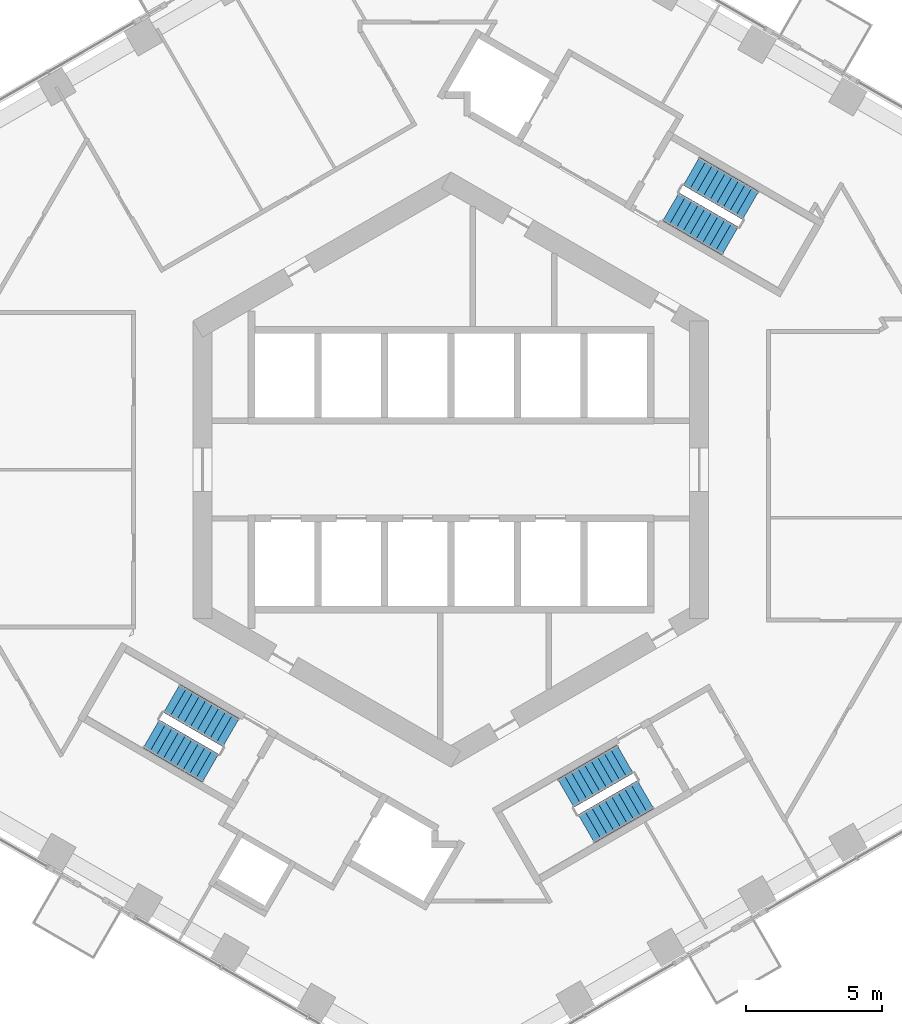
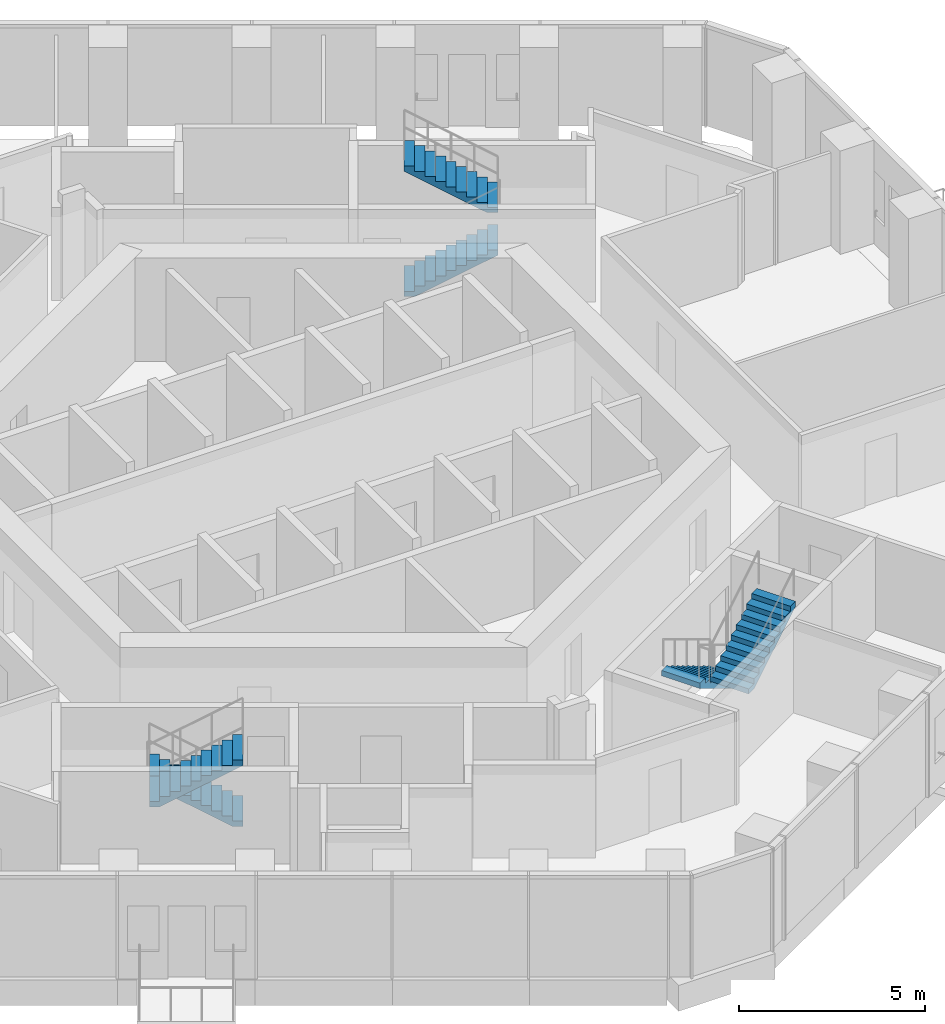
# One storey, part 17 of 20: 6 stair flights, 3 elements without a shape of their own.
"""IFC4 building model written with IfcOpenShell, lengths in metres."""

from ifc_helpers import new_model, si_unit, direction, frame, origin, place, context, subcontext, project, spatial, triangles, material, type_object, element, aggregate, save


model = new_model("IFC4")

# Units and contexts
model_context = context("Model", 3, precision=1e-05, world=origin(), true_north=direction((0.0, 1.0)))
body_context = subcontext(model_context, "Body", "Model", "MODEL_VIEW")
ifc_project = project(units=[si_unit("LENGTHUNIT", "METRE"), si_unit("AREAUNIT", "SQUARE_METRE"), si_unit("VOLUMEUNIT", "CUBIC_METRE"), si_unit("PLANEANGLEUNIT", "RADIAN"), si_unit("MASSUNIT", "GRAM", prefix="KILO")], contexts=[model_context])

# Site, building, storey
site_placement = place(None, origin())
site = spatial("IfcSite", under=ifc_project, at=site_placement, CompositionType="ELEMENT")
building_placement = place(site_placement, origin())
building = spatial("IfcBuilding", under=site, at=building_placement, Name="Ayvan Gate Tower", CompositionType="ELEMENT")
storey_placement = place(building_placement, frame((0.0, 0.0, 96.699951171875)))
storey = spatial("IfcBuildingStorey", under=building, at=storey_placement, Name="L25", CompositionType="ELEMENT", Elevation=96.699951171875)

# Stair, stair flights
ifc_material = material(Name="Concrete C40/50", Category="concrete")
stair_type = type_object("IfcStairType", Name="ST-EXIT", PredefinedType="HALF_TURN_STAIR", material=ifc_material)
stair_1_placement = place(storey_placement, origin())
stair_1 = element("IfcStair", 1, at=stair_1_placement, inside=storey, type_object=stair_type, Name="L25 Exit Stair S1", PredefinedType="HALF_TURN_STAIR")
stair_flight_type = type_object("IfcStairFlightType", Name="SFL-EXIT", PredefinedType="STRAIGHT", material=ifc_material)
stair_flight_1_placement = place(storey_placement, frame((8.106201171875, 9.690185546875, 0.0), z_axis=(0.0, 0.0, 1.0), x_axis=(0.866025403784, -0.5, 0.0)))
stair_flight_1 = element("IfcStairFlight", 2, at=stair_flight_1_placement, type_object=stair_flight_type, Name="STS1 flight 1", NumberOfRisers=10, NumberOfTreads=9, PredefinedType="STRAIGHT", RiserHeight=0.17, TreadLength=0.28, context=body_context, shape_type="Tessellation", body=[
    triangles([(0.288841, -0.599976, 0.0), (2.5205, -0.599976, 1.354936), (2.5205, -0.599976, 1.53), (2.24, -0.599976, 1.53), (2.24, -0.599976, 1.36), (1.96, -0.599976, 1.36), (1.96, -0.599976, 1.19), (1.68, -0.599976, 1.19), (1.68, -0.599976, 1.02), (1.4, -0.599976, 1.02), (1.4, -0.599976, 0.85), (1.12, -0.599976, 0.85), (1.12, -0.599976, 0.68), (0.84, -0.599976, 0.68), (0.84, -0.599976, 0.51), (0.56, -0.599976, 0.51), (0.56, -0.599976, 0.34), (0.28, -0.599976, 0.34), (0.28, -0.599976, 0.17), (-0.0005, -0.599976, 0.17), (-0.0005, -0.599976, 0.0), (0.288841, 0.0, 0.0), (2.5205, 0.0, 1.354936), (2.5205, 0.0, 1.53), (2.24, 0.0, 1.53), (2.24, 0.0, 1.36), (1.96, 0.0, 1.36), (1.96, 0.0, 1.19), (1.68, 0.0, 1.19), (1.68, 0.0, 1.02), (1.4, 0.0, 1.02), (1.4, 0.0, 0.85), (1.12, 0.0, 0.85), (1.12, 0.0, 0.68), (0.84, 0.0, 0.68), (0.84, 0.0, 0.51), (0.56, 0.0, 0.51), (0.56, 0.0, 0.34), (0.28, 0.0, 0.34), (0.28, 0.0, 0.17), (-0.0005, 0.0, 0.17), (-0.0005, 0.0, 0.0), (0.288841, 0.599976, 0.0), (2.5205, 0.599976, 1.354936), (2.5205, 0.599976, 1.53), (2.24, 0.599976, 1.53), (2.24, 0.599976, 1.36), (1.96, 0.599976, 1.36), (1.96, 0.599976, 1.19), (1.68, 0.599976, 1.19), (1.68, 0.599976, 1.02), (1.4, 0.599976, 1.02), (1.4, 0.599976, 0.85), (1.12, 0.599976, 0.85), (1.12, 0.599976, 0.68), (0.84, 0.599976, 0.68), (0.84, 0.599976, 0.51), (0.56, 0.599976, 0.51), (0.56, 0.599976, 0.34), (0.28, 0.599976, 0.34), (0.28, 0.599976, 0.17), (-0.0005, 0.599976, 0.17), (-0.0005, 0.599976, 0.0)], [[21, 1, 2], [63, 44, 43], [2, 3, 4], [44, 46, 45], [2, 4, 5], [44, 47, 46], [2, 5, 6], [44, 48, 47], [2, 6, 7], [44, 49, 48], [7, 8, 9], [49, 51, 50], [2, 7, 9], [44, 51, 49], [9, 10, 11], [51, 53, 52], [2, 9, 11], [44, 53, 51], [11, 12, 13], [53, 55, 54], [2, 11, 13], [44, 55, 53], [13, 14, 15], [55, 57, 56], [2, 13, 15], [44, 57, 55], [15, 16, 17], [57, 59, 58], [2, 15, 17], [44, 59, 57], [17, 18, 19], [59, 61, 60], [2, 17, 19], [44, 61, 59], [21, 2, 19], [63, 61, 44], [19, 20, 21], [61, 63, 62], [1, 22, 23], [1, 23, 2], [43, 23, 22], [43, 44, 23], [2, 23, 24], [2, 24, 3], [44, 24, 23], [44, 45, 24], [3, 24, 25], [3, 25, 4], [45, 25, 24], [45, 46, 25], [4, 25, 26], [4, 26, 5], [46, 26, 25], [46, 47, 26], [5, 26, 27], [5, 27, 6], [47, 27, 26], [47, 48, 27], [6, 27, 28], [6, 28, 7], [48, 28, 27], [48, 49, 28], [7, 28, 29], [7, 29, 8], [49, 29, 28], [49, 50, 29], [8, 29, 30], [8, 30, 9], [50, 30, 29], [50, 51, 30], [9, 30, 31], [9, 31, 10], [51, 31, 30], [51, 52, 31], [10, 31, 32], [10, 32, 11], [52, 32, 31], [52, 53, 32], [11, 32, 33], [11, 33, 12], [53, 33, 32], [53, 54, 33], [12, 33, 34], [12, 34, 13], [54, 34, 33], [54, 55, 34], [13, 34, 35], [13, 35, 14], [55, 35, 34], [55, 56, 35], [14, 35, 36], [14, 36, 15], [56, 36, 35], [56, 57, 36], [15, 36, 37], [15, 37, 16], [57, 37, 36], [57, 58, 37], [16, 37, 38], [16, 38, 17], [58, 38, 37], [58, 59, 38], [17, 38, 39], [17, 39, 18], [59, 39, 38], [59, 60, 39], [18, 39, 40], [18, 40, 19], [60, 40, 39], [60, 61, 40], [19, 40, 41], [19, 41, 20], [61, 41, 40], [61, 62, 41], [20, 41, 42], [20, 42, 21], [62, 42, 41], [62, 63, 42], [21, 42, 22], [21, 22, 1], [63, 22, 42], [63, 43, 22]], closed=True),
])
stair_flight_2_placement = place(storey_placement, frame((11.04345703125, 9.73779296875, 1.699951171875), z_axis=(0.0, 0.0, 1.0), x_axis=(-0.866025403784, 0.5, 0.0)))
stair_flight_2 = element("IfcStairFlight", 3, at=stair_flight_2_placement, type_object=stair_flight_type, Name="STS1 flight 2", NumberOfRisers=10, NumberOfTreads=9, PredefinedType="STRAIGHT", RiserHeight=0.17, TreadLength=0.28, context=body_context, shape_type="Tessellation", body=[
    triangles([(0.288841, -0.599976, 0.0), (2.5205, -0.599976, 1.354936), (2.5205, -0.599976, 1.53), (2.24, -0.599976, 1.53), (2.24, -0.599976, 1.36), (1.96, -0.599976, 1.36), (1.96, -0.599976, 1.19), (1.68, -0.599976, 1.19), (1.68, -0.599976, 1.02), (1.4, -0.599976, 1.02), (1.4, -0.599976, 0.85), (1.12, -0.599976, 0.85), (1.12, -0.599976, 0.68), (0.84, -0.599976, 0.68), (0.84, -0.599976, 0.51), (0.56, -0.599976, 0.51), (0.56, -0.599976, 0.34), (0.28, -0.599976, 0.34), (0.28, -0.599976, 0.17), (-0.0005, -0.599976, 0.17), (-0.0005, -0.599976, 0.0), (0.288841, 0.0, 0.0), (2.5205, 0.0, 1.354936), (2.5205, 0.0, 1.53), (2.24, 0.0, 1.53), (2.24, 0.0, 1.36), (1.96, 0.0, 1.36), (1.96, 0.0, 1.19), (1.68, 0.0, 1.19), (1.68, 0.0, 1.02), (1.4, 0.0, 1.02), (1.4, 0.0, 0.85), (1.12, 0.0, 0.85), (1.12, 0.0, 0.68), (0.84, 0.0, 0.68), (0.84, 0.0, 0.51), (0.56, 0.0, 0.51), (0.56, 0.0, 0.34), (0.28, 0.0, 0.34), (0.28, 0.0, 0.17), (-0.0005, 0.0, 0.17), (-0.0005, 0.0, 0.0), (0.288841, 0.599976, 0.0), (2.5205, 0.599976, 1.354936), (2.5205, 0.599976, 1.53), (2.24, 0.599976, 1.53), (2.24, 0.599976, 1.36), (1.96, 0.599976, 1.36), (1.96, 0.599976, 1.19), (1.68, 0.599976, 1.19), (1.68, 0.599976, 1.02), (1.4, 0.599976, 1.02), (1.4, 0.599976, 0.85), (1.12, 0.599976, 0.85), (1.12, 0.599976, 0.68), (0.84, 0.599976, 0.68), (0.84, 0.599976, 0.51), (0.56, 0.599976, 0.51), (0.56, 0.599976, 0.34), (0.28, 0.599976, 0.34), (0.28, 0.599976, 0.17), (-0.0005, 0.599976, 0.17), (-0.0005, 0.599976, 0.0)], [[21, 1, 2], [63, 44, 43], [2, 3, 4], [44, 46, 45], [2, 4, 5], [44, 47, 46], [2, 5, 6], [44, 48, 47], [2, 6, 7], [44, 49, 48], [7, 8, 9], [49, 51, 50], [2, 7, 9], [44, 51, 49], [9, 10, 11], [51, 53, 52], [2, 9, 11], [44, 53, 51], [11, 12, 13], [53, 55, 54], [2, 11, 13], [44, 55, 53], [13, 14, 15], [55, 57, 56], [2, 13, 15], [44, 57, 55], [15, 16, 17], [57, 59, 58], [2, 15, 17], [44, 59, 57], [17, 18, 19], [59, 61, 60], [2, 17, 19], [44, 61, 59], [21, 2, 19], [63, 61, 44], [19, 20, 21], [61, 63, 62], [1, 22, 23], [1, 23, 2], [43, 23, 22], [43, 44, 23], [2, 23, 24], [2, 24, 3], [44, 24, 23], [44, 45, 24], [3, 24, 25], [3, 25, 4], [45, 25, 24], [45, 46, 25], [4, 25, 26], [4, 26, 5], [46, 26, 25], [46, 47, 26], [5, 26, 27], [5, 27, 6], [47, 27, 26], [47, 48, 27], [6, 27, 28], [6, 28, 7], [48, 28, 27], [48, 49, 28], [7, 28, 29], [7, 29, 8], [49, 29, 28], [49, 50, 29], [8, 29, 30], [8, 30, 9], [50, 30, 29], [50, 51, 30], [9, 30, 31], [9, 31, 10], [51, 31, 30], [51, 52, 31], [10, 31, 32], [10, 32, 11], [52, 32, 31], [52, 53, 32], [11, 32, 33], [11, 33, 12], [53, 33, 32], [53, 54, 33], [12, 33, 34], [12, 34, 13], [54, 34, 33], [54, 55, 34], [13, 34, 35], [13, 35, 14], [55, 35, 34], [55, 56, 35], [14, 35, 36], [14, 36, 15], [56, 36, 35], [56, 57, 36], [15, 36, 37], [15, 37, 16], [57, 37, 36], [57, 58, 37], [16, 37, 38], [16, 38, 17], [58, 38, 37], [58, 59, 38], [17, 38, 39], [17, 39, 18], [59, 39, 38], [59, 60, 39], [18, 39, 40], [18, 40, 19], [60, 40, 39], [60, 61, 40], [19, 40, 41], [19, 41, 20], [61, 41, 40], [61, 62, 41], [20, 41, 42], [20, 42, 21], [62, 42, 41], [62, 63, 42], [21, 42, 22], [21, 22, 1], [63, 22, 42], [63, 43, 22]], closed=True),
])
aggregate(stair_1, [stair_flight_1, stair_flight_2])

stair_2_placement = place(storey_placement, origin())
stair_2 = element("IfcStair", 4, at=stair_2_placement, inside=storey, type_object=stair_type, Name="L25 Exit Stair S2", PredefinedType="HALF_TURN_STAIR")
stair_flight_3_placement = place(storey_placement, frame((-8.106201171875, -9.690185546875, 0.0), z_axis=(0.0, 0.0, 1.0), x_axis=(-0.866025403784, 0.5, 0.0)))
stair_flight_3 = element("IfcStairFlight", 5, at=stair_flight_3_placement, type_object=stair_flight_type, Name="STS2 flight 1", NumberOfRisers=10, NumberOfTreads=9, PredefinedType="STRAIGHT", RiserHeight=0.17, TreadLength=0.28, context=body_context, shape_type="Tessellation", body=[
    triangles([(0.288841, -0.599976, 0.0), (2.5205, -0.599976, 1.354936), (2.5205, -0.599976, 1.53), (2.24, -0.599976, 1.53), (2.24, -0.599976, 1.36), (1.96, -0.599976, 1.36), (1.96, -0.599976, 1.19), (1.68, -0.599976, 1.19), (1.68, -0.599976, 1.02), (1.4, -0.599976, 1.02), (1.4, -0.599976, 0.85), (1.12, -0.599976, 0.85), (1.12, -0.599976, 0.68), (0.84, -0.599976, 0.68), (0.84, -0.599976, 0.51), (0.56, -0.599976, 0.51), (0.56, -0.599976, 0.34), (0.28, -0.599976, 0.34), (0.28, -0.599976, 0.17), (-0.0005, -0.599976, 0.17), (-0.0005, -0.599976, 0.0), (0.288841, 0.0, 0.0), (2.5205, 0.0, 1.354936), (2.5205, 0.0, 1.53), (2.24, 0.0, 1.53), (2.24, 0.0, 1.36), (1.96, 0.0, 1.36), (1.96, 0.0, 1.19), (1.68, 0.0, 1.19), (1.68, 0.0, 1.02), (1.4, 0.0, 1.02), (1.4, 0.0, 0.85), (1.12, 0.0, 0.85), (1.12, 0.0, 0.68), (0.84, 0.0, 0.68), (0.84, 0.0, 0.51), (0.56, 0.0, 0.51), (0.56, 0.0, 0.34), (0.28, 0.0, 0.34), (0.28, 0.0, 0.17), (-0.0005, 0.0, 0.17), (-0.0005, 0.0, 0.0), (0.288841, 0.599976, 0.0), (2.5205, 0.599976, 1.354936), (2.5205, 0.599976, 1.53), (2.24, 0.599976, 1.53), (2.24, 0.599976, 1.36), (1.96, 0.599976, 1.36), (1.96, 0.599976, 1.19), (1.68, 0.599976, 1.19), (1.68, 0.599976, 1.02), (1.4, 0.599976, 1.02), (1.4, 0.599976, 0.85), (1.12, 0.599976, 0.85), (1.12, 0.599976, 0.68), (0.84, 0.599976, 0.68), (0.84, 0.599976, 0.51), (0.56, 0.599976, 0.51), (0.56, 0.599976, 0.34), (0.28, 0.599976, 0.34), (0.28, 0.599976, 0.17), (-0.0005, 0.599976, 0.17), (-0.0005, 0.599976, 0.0)], [[21, 1, 2], [63, 44, 43], [2, 3, 4], [44, 46, 45], [2, 4, 5], [44, 47, 46], [2, 5, 6], [44, 48, 47], [2, 6, 7], [44, 49, 48], [7, 8, 9], [49, 51, 50], [2, 7, 9], [44, 51, 49], [9, 10, 11], [51, 53, 52], [2, 9, 11], [44, 53, 51], [11, 12, 13], [53, 55, 54], [2, 11, 13], [44, 55, 53], [13, 14, 15], [55, 57, 56], [2, 13, 15], [44, 57, 55], [15, 16, 17], [57, 59, 58], [2, 15, 17], [44, 59, 57], [17, 18, 19], [59, 61, 60], [2, 17, 19], [44, 61, 59], [21, 2, 19], [63, 61, 44], [19, 20, 21], [61, 63, 62], [1, 22, 23], [1, 23, 2], [43, 23, 22], [43, 44, 23], [2, 23, 24], [2, 24, 3], [44, 24, 23], [44, 45, 24], [3, 24, 25], [3, 25, 4], [45, 25, 24], [45, 46, 25], [4, 25, 26], [4, 26, 5], [46, 26, 25], [46, 47, 26], [5, 26, 27], [5, 27, 6], [47, 27, 26], [47, 48, 27], [6, 27, 28], [6, 28, 7], [48, 28, 27], [48, 49, 28], [7, 28, 29], [7, 29, 8], [49, 29, 28], [49, 50, 29], [8, 29, 30], [8, 30, 9], [50, 30, 29], [50, 51, 30], [9, 30, 31], [9, 31, 10], [51, 31, 30], [51, 52, 31], [10, 31, 32], [10, 32, 11], [52, 32, 31], [52, 53, 32], [11, 32, 33], [11, 33, 12], [53, 33, 32], [53, 54, 33], [12, 33, 34], [12, 34, 13], [54, 34, 33], [54, 55, 34], [13, 34, 35], [13, 35, 14], [55, 35, 34], [55, 56, 35], [14, 35, 36], [14, 36, 15], [56, 36, 35], [56, 57, 36], [15, 36, 37], [15, 37, 16], [57, 37, 36], [57, 58, 37], [16, 37, 38], [16, 38, 17], [58, 38, 37], [58, 59, 38], [17, 38, 39], [17, 39, 18], [59, 39, 38], [59, 60, 39], [18, 39, 40], [18, 40, 19], [60, 40, 39], [60, 61, 40], [19, 40, 41], [19, 41, 20], [61, 41, 40], [61, 62, 41], [20, 41, 42], [20, 42, 21], [62, 42, 41], [62, 63, 42], [21, 42, 22], [21, 22, 1], [63, 22, 42], [63, 43, 22]], closed=True),
])
stair_flight_4_placement = place(storey_placement, frame((-11.04345703125, -9.73779296875, 1.699951171875), z_axis=(0.0, 0.0, 1.0), x_axis=(0.866025403784, -0.5, 0.0)))
stair_flight_4 = element("IfcStairFlight", 6, at=stair_flight_4_placement, type_object=stair_flight_type, Name="STS2 flight 2", NumberOfRisers=10, NumberOfTreads=9, PredefinedType="STRAIGHT", RiserHeight=0.17, TreadLength=0.28, context=body_context, shape_type="Tessellation", body=[
    triangles([(0.288841, -0.599976, 0.0), (2.5205, -0.599976, 1.354936), (2.5205, -0.599976, 1.53), (2.24, -0.599976, 1.53), (2.24, -0.599976, 1.36), (1.96, -0.599976, 1.36), (1.96, -0.599976, 1.19), (1.68, -0.599976, 1.19), (1.68, -0.599976, 1.02), (1.4, -0.599976, 1.02), (1.4, -0.599976, 0.85), (1.12, -0.599976, 0.85), (1.12, -0.599976, 0.68), (0.84, -0.599976, 0.68), (0.84, -0.599976, 0.51), (0.56, -0.599976, 0.51), (0.56, -0.599976, 0.34), (0.28, -0.599976, 0.34), (0.28, -0.599976, 0.17), (-0.0005, -0.599976, 0.17), (-0.0005, -0.599976, 0.0), (0.288841, 0.0, 0.0), (2.5205, 0.0, 1.354936), (2.5205, 0.0, 1.53), (2.24, 0.0, 1.53), (2.24, 0.0, 1.36), (1.96, 0.0, 1.36), (1.96, 0.0, 1.19), (1.68, 0.0, 1.19), (1.68, 0.0, 1.02), (1.4, 0.0, 1.02), (1.4, 0.0, 0.85), (1.12, 0.0, 0.85), (1.12, 0.0, 0.68), (0.84, 0.0, 0.68), (0.84, 0.0, 0.51), (0.56, 0.0, 0.51), (0.56, 0.0, 0.34), (0.28, 0.0, 0.34), (0.28, 0.0, 0.17), (-0.0005, 0.0, 0.17), (-0.0005, 0.0, 0.0), (0.288841, 0.599976, 0.0), (2.5205, 0.599976, 1.354936), (2.5205, 0.599976, 1.53), (2.24, 0.599976, 1.53), (2.24, 0.599976, 1.36), (1.96, 0.599976, 1.36), (1.96, 0.599976, 1.19), (1.68, 0.599976, 1.19), (1.68, 0.599976, 1.02), (1.4, 0.599976, 1.02), (1.4, 0.599976, 0.85), (1.12, 0.599976, 0.85), (1.12, 0.599976, 0.68), (0.84, 0.599976, 0.68), (0.84, 0.599976, 0.51), (0.56, 0.599976, 0.51), (0.56, 0.599976, 0.34), (0.28, 0.599976, 0.34), (0.28, 0.599976, 0.17), (-0.0005, 0.599976, 0.17), (-0.0005, 0.599976, 0.0)], [[21, 1, 2], [63, 44, 43], [2, 3, 4], [44, 46, 45], [2, 4, 5], [44, 47, 46], [2, 5, 6], [44, 48, 47], [2, 6, 7], [44, 49, 48], [7, 8, 9], [49, 51, 50], [2, 7, 9], [44, 51, 49], [9, 10, 11], [51, 53, 52], [2, 9, 11], [44, 53, 51], [11, 12, 13], [53, 55, 54], [2, 11, 13], [44, 55, 53], [13, 14, 15], [55, 57, 56], [2, 13, 15], [44, 57, 55], [15, 16, 17], [57, 59, 58], [2, 15, 17], [44, 59, 57], [17, 18, 19], [59, 61, 60], [2, 17, 19], [44, 61, 59], [21, 2, 19], [63, 61, 44], [19, 20, 21], [61, 63, 62], [1, 22, 23], [1, 23, 2], [43, 23, 22], [43, 44, 23], [2, 23, 24], [2, 24, 3], [44, 24, 23], [44, 45, 24], [3, 24, 25], [3, 25, 4], [45, 25, 24], [45, 46, 25], [4, 25, 26], [4, 26, 5], [46, 26, 25], [46, 47, 26], [5, 26, 27], [5, 27, 6], [47, 27, 26], [47, 48, 27], [6, 27, 28], [6, 28, 7], [48, 28, 27], [48, 49, 28], [7, 28, 29], [7, 29, 8], [49, 29, 28], [49, 50, 29], [8, 29, 30], [8, 30, 9], [50, 30, 29], [50, 51, 30], [9, 30, 31], [9, 31, 10], [51, 31, 30], [51, 52, 31], [10, 31, 32], [10, 32, 11], [52, 32, 31], [52, 53, 32], [11, 32, 33], [11, 33, 12], [53, 33, 32], [53, 54, 33], [12, 33, 34], [12, 34, 13], [54, 34, 33], [54, 55, 34], [13, 34, 35], [13, 35, 14], [55, 35, 34], [55, 56, 35], [14, 35, 36], [14, 36, 15], [56, 36, 35], [56, 57, 36], [15, 36, 37], [15, 37, 16], [57, 37, 36], [57, 58, 37], [16, 37, 38], [16, 38, 17], [58, 38, 37], [58, 59, 38], [17, 38, 39], [17, 39, 18], [59, 39, 38], [59, 60, 39], [18, 39, 40], [18, 40, 19], [60, 40, 39], [60, 61, 40], [19, 40, 41], [19, 41, 20], [61, 41, 40], [61, 62, 41], [20, 41, 42], [20, 42, 21], [62, 42, 41], [62, 63, 42], [21, 42, 22], [21, 22, 1], [63, 22, 42], [63, 43, 22]], closed=True),
])
aggregate(stair_2, [stair_flight_3, stair_flight_4])

stair_3_placement = place(storey_placement, origin())
stair_3 = element("IfcStair", 7, at=stair_3_placement, inside=storey, type_object=stair_type, Name="L25 Exit Stair S3", PredefinedType="HALF_TURN_STAIR")
stair_flight_5_placement = place(storey_placement, frame((6.417236328125, -10.665283203125, 0.0), z_axis=(0.0, 0.0, 1.0), x_axis=(-0.866025403784, -0.5, 0.0)))
stair_flight_5 = element("IfcStairFlight", 8, at=stair_flight_5_placement, type_object=stair_flight_type, Name="STS3 flight 1", NumberOfRisers=10, NumberOfTreads=9, PredefinedType="STRAIGHT", RiserHeight=0.17, TreadLength=0.28, context=body_context, shape_type="Tessellation", body=[
    triangles([(0.288841, -0.599976, 0.0), (2.5205, -0.599976, 1.354936), (2.5205, -0.599976, 1.53), (2.24, -0.599976, 1.53), (2.24, -0.599976, 1.36), (1.96, -0.599976, 1.36), (1.96, -0.599976, 1.19), (1.68, -0.599976, 1.19), (1.68, -0.599976, 1.02), (1.4, -0.599976, 1.02), (1.4, -0.599976, 0.85), (1.12, -0.599976, 0.85), (1.12, -0.599976, 0.68), (0.84, -0.599976, 0.68), (0.84, -0.599976, 0.51), (0.56, -0.599976, 0.51), (0.56, -0.599976, 0.34), (0.28, -0.599976, 0.34), (0.28, -0.599976, 0.17), (-0.0005, -0.599976, 0.17), (-0.0005, -0.599976, 0.0), (0.288841, 0.0, 0.0), (2.5205, 0.0, 1.354936), (2.5205, 0.0, 1.53), (2.24, 0.0, 1.53), (2.24, 0.0, 1.36), (1.96, 0.0, 1.36), (1.96, 0.0, 1.19), (1.68, 0.0, 1.19), (1.68, 0.0, 1.02), (1.4, 0.0, 1.02), (1.4, 0.0, 0.85), (1.12, 0.0, 0.85), (1.12, 0.0, 0.68), (0.84, 0.0, 0.68), (0.84, 0.0, 0.51), (0.56, 0.0, 0.51), (0.56, 0.0, 0.34), (0.28, 0.0, 0.34), (0.28, 0.0, 0.17), (-0.0005, 0.0, 0.17), (-0.0005, 0.0, 0.0), (0.288841, 0.599976, 0.0), (2.5205, 0.599976, 1.354936), (2.5205, 0.599976, 1.53), (2.24, 0.599976, 1.53), (2.24, 0.599976, 1.36), (1.96, 0.599976, 1.36), (1.96, 0.599976, 1.19), (1.68, 0.599976, 1.19), (1.68, 0.599976, 1.02), (1.4, 0.599976, 1.02), (1.4, 0.599976, 0.85), (1.12, 0.599976, 0.85), (1.12, 0.599976, 0.68), (0.84, 0.599976, 0.68), (0.84, 0.599976, 0.51), (0.56, 0.599976, 0.51), (0.56, 0.599976, 0.34), (0.28, 0.599976, 0.34), (0.28, 0.599976, 0.17), (-0.0005, 0.599976, 0.17), (-0.0005, 0.599976, 0.0)], [[21, 1, 2], [63, 44, 43], [2, 3, 4], [44, 46, 45], [2, 4, 5], [44, 47, 46], [2, 5, 6], [44, 48, 47], [2, 6, 7], [44, 49, 48], [7, 8, 9], [49, 51, 50], [2, 7, 9], [44, 51, 49], [9, 10, 11], [51, 53, 52], [2, 9, 11], [44, 53, 51], [11, 12, 13], [53, 55, 54], [2, 11, 13], [44, 55, 53], [13, 14, 15], [55, 57, 56], [2, 13, 15], [44, 57, 55], [15, 16, 17], [57, 59, 58], [2, 15, 17], [44, 59, 57], [17, 18, 19], [59, 61, 60], [2, 17, 19], [44, 61, 59], [21, 2, 19], [63, 61, 44], [19, 20, 21], [61, 63, 62], [1, 22, 23], [1, 23, 2], [43, 23, 22], [43, 44, 23], [2, 23, 24], [2, 24, 3], [44, 24, 23], [44, 45, 24], [3, 24, 25], [3, 25, 4], [45, 25, 24], [45, 46, 25], [4, 25, 26], [4, 26, 5], [46, 26, 25], [46, 47, 26], [5, 26, 27], [5, 27, 6], [47, 27, 26], [47, 48, 27], [6, 27, 28], [6, 28, 7], [48, 28, 27], [48, 49, 28], [7, 28, 29], [7, 29, 8], [49, 29, 28], [49, 50, 29], [8, 29, 30], [8, 30, 9], [50, 30, 29], [50, 51, 30], [9, 30, 31], [9, 31, 10], [51, 31, 30], [51, 52, 31], [10, 31, 32], [10, 32, 11], [52, 32, 31], [52, 53, 32], [11, 32, 33], [11, 33, 12], [53, 33, 32], [53, 54, 33], [12, 33, 34], [12, 34, 13], [54, 34, 33], [54, 55, 34], [13, 34, 35], [13, 35, 14], [55, 35, 34], [55, 56, 35], [14, 35, 36], [14, 36, 15], [56, 36, 35], [56, 57, 36], [15, 36, 37], [15, 37, 16], [57, 37, 36], [57, 58, 37], [16, 37, 38], [16, 38, 17], [58, 38, 37], [58, 59, 38], [17, 38, 39], [17, 39, 18], [59, 39, 38], [59, 60, 39], [18, 39, 40], [18, 40, 19], [60, 40, 39], [60, 61, 40], [19, 40, 41], [19, 41, 20], [61, 41, 40], [61, 62, 41], [20, 41, 42], [20, 42, 21], [62, 42, 41], [62, 63, 42], [21, 42, 22], [21, 22, 1], [63, 22, 42], [63, 43, 22]], closed=True),
])
stair_flight_6_placement = place(storey_placement, frame((4.989990234375, -13.23291015625, 1.699951171875), z_axis=(0.0, 0.0, 1.0), x_axis=(0.866025403784, 0.5, 0.0)))
stair_flight_6 = element("IfcStairFlight", 9, at=stair_flight_6_placement, type_object=stair_flight_type, Name="STS3 flight 2", NumberOfRisers=10, NumberOfTreads=9, PredefinedType="STRAIGHT", RiserHeight=0.17, TreadLength=0.28, context=body_context, shape_type="Tessellation", body=[
    triangles([(0.288841, -0.599976, 0.0), (2.5205, -0.599976, 1.354936), (2.5205, -0.599976, 1.53), (2.24, -0.599976, 1.53), (2.24, -0.599976, 1.36), (1.96, -0.599976, 1.36), (1.96, -0.599976, 1.19), (1.68, -0.599976, 1.19), (1.68, -0.599976, 1.02), (1.4, -0.599976, 1.02), (1.4, -0.599976, 0.85), (1.12, -0.599976, 0.85), (1.12, -0.599976, 0.68), (0.84, -0.599976, 0.68), (0.84, -0.599976, 0.51), (0.56, -0.599976, 0.51), (0.56, -0.599976, 0.34), (0.28, -0.599976, 0.34), (0.28, -0.599976, 0.17), (-0.0005, -0.599976, 0.17), (-0.0005, -0.599976, 0.0), (0.288841, 0.0, 0.0), (2.5205, 0.0, 1.354936), (2.5205, 0.0, 1.53), (2.24, 0.0, 1.53), (2.24, 0.0, 1.36), (1.96, 0.0, 1.36), (1.96, 0.0, 1.19), (1.68, 0.0, 1.19), (1.68, 0.0, 1.02), (1.4, 0.0, 1.02), (1.4, 0.0, 0.85), (1.12, 0.0, 0.85), (1.12, 0.0, 0.68), (0.84, 0.0, 0.68), (0.84, 0.0, 0.51), (0.56, 0.0, 0.51), (0.56, 0.0, 0.34), (0.28, 0.0, 0.34), (0.28, 0.0, 0.17), (-0.0005, 0.0, 0.17), (-0.0005, 0.0, 0.0), (0.288841, 0.599976, 0.0), (2.5205, 0.599976, 1.354936), (2.5205, 0.599976, 1.53), (2.24, 0.599976, 1.53), (2.24, 0.599976, 1.36), (1.96, 0.599976, 1.36), (1.96, 0.599976, 1.19), (1.68, 0.599976, 1.19), (1.68, 0.599976, 1.02), (1.4, 0.599976, 1.02), (1.4, 0.599976, 0.85), (1.12, 0.599976, 0.85), (1.12, 0.599976, 0.68), (0.84, 0.599976, 0.68), (0.84, 0.599976, 0.51), (0.56, 0.599976, 0.51), (0.56, 0.599976, 0.34), (0.28, 0.599976, 0.34), (0.28, 0.599976, 0.17), (-0.0005, 0.599976, 0.17), (-0.0005, 0.599976, 0.0)], [[21, 1, 2], [63, 44, 43], [2, 3, 4], [44, 46, 45], [2, 4, 5], [44, 47, 46], [2, 5, 6], [44, 48, 47], [2, 6, 7], [44, 49, 48], [7, 8, 9], [49, 51, 50], [2, 7, 9], [44, 51, 49], [9, 10, 11], [51, 53, 52], [2, 9, 11], [44, 53, 51], [11, 12, 13], [53, 55, 54], [2, 11, 13], [44, 55, 53], [13, 14, 15], [55, 57, 56], [2, 13, 15], [44, 57, 55], [15, 16, 17], [57, 59, 58], [2, 15, 17], [44, 59, 57], [17, 18, 19], [59, 61, 60], [2, 17, 19], [44, 61, 59], [21, 2, 19], [63, 61, 44], [19, 20, 21], [61, 63, 62], [1, 22, 23], [1, 23, 2], [43, 23, 22], [43, 44, 23], [2, 23, 24], [2, 24, 3], [44, 24, 23], [44, 45, 24], [3, 24, 25], [3, 25, 4], [45, 25, 24], [45, 46, 25], [4, 25, 26], [4, 26, 5], [46, 26, 25], [46, 47, 26], [5, 26, 27], [5, 27, 6], [47, 27, 26], [47, 48, 27], [6, 27, 28], [6, 28, 7], [48, 28, 27], [48, 49, 28], [7, 28, 29], [7, 29, 8], [49, 29, 28], [49, 50, 29], [8, 29, 30], [8, 30, 9], [50, 30, 29], [50, 51, 30], [9, 30, 31], [9, 31, 10], [51, 31, 30], [51, 52, 31], [10, 31, 32], [10, 32, 11], [52, 32, 31], [52, 53, 32], [11, 32, 33], [11, 33, 12], [53, 33, 32], [53, 54, 33], [12, 33, 34], [12, 34, 13], [54, 34, 33], [54, 55, 34], [13, 34, 35], [13, 35, 14], [55, 35, 34], [55, 56, 35], [14, 35, 36], [14, 36, 15], [56, 36, 35], [56, 57, 36], [15, 36, 37], [15, 37, 16], [57, 37, 36], [57, 58, 37], [16, 37, 38], [16, 38, 17], [58, 38, 37], [58, 59, 38], [17, 38, 39], [17, 39, 18], [59, 39, 38], [59, 60, 39], [18, 39, 40], [18, 40, 19], [60, 40, 39], [60, 61, 40], [19, 40, 41], [19, 41, 20], [61, 41, 40], [61, 62, 41], [20, 41, 42], [20, 42, 21], [62, 42, 41], [62, 63, 42], [21, 42, 22], [21, 22, 1], [63, 22, 42], [63, 43, 22]], closed=True),
])
aggregate(stair_3, [stair_flight_5, stair_flight_6])

save(model, "model.ifc")
